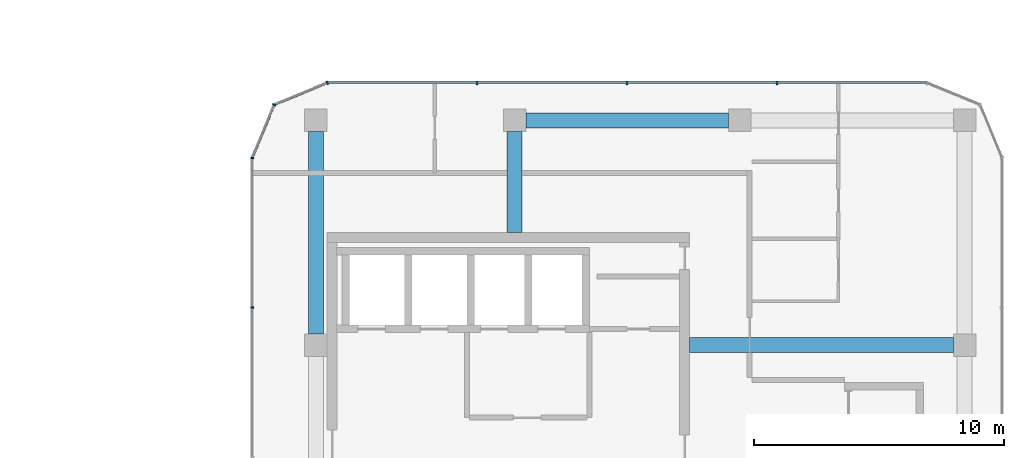
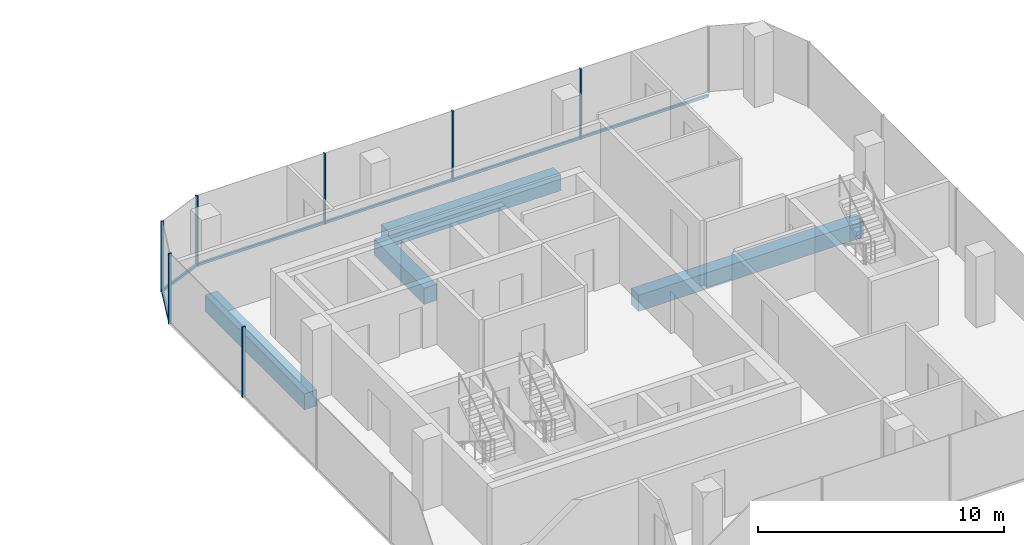
# One storey, part 9 of 23: 10 members, 4 beams, 4 elements without a shape of their own.
"""IFC4 building model written with IfcOpenShell, lengths in metres."""

from ifc_helpers import new_model, si_unit, direction, frame, origin, origin_2d, place, context, subcontext, project, spatial, rectangle, extrude, material, layer, layer_set, material_profile, profile_set, type_object, element, aggregate, save


model = new_model("IFC4")

# Units and contexts
model_context = context("Model", 3, precision=1e-05, world=origin(), true_north=direction((0.0, 1.0)))
body_context = subcontext(model_context, "Body", "Model", "MODEL_VIEW")
ifc_project = project(units=[si_unit("LENGTHUNIT", "METRE"), si_unit("AREAUNIT", "SQUARE_METRE"), si_unit("VOLUMEUNIT", "CUBIC_METRE"), si_unit("PLANEANGLEUNIT", "RADIAN"), si_unit("MASSUNIT", "GRAM", prefix="KILO")], contexts=[model_context])

# Site, building, storey
site_placement = place(None, origin())
site = spatial("IfcSite", under=ifc_project, at=site_placement, CompositionType="ELEMENT")
building_placement = place(site_placement, origin())
building = spatial("IfcBuilding", under=site, at=building_placement, Name="Plateau Cross Towers", CompositionType="ELEMENT")
storey_placement = place(building_placement, frame((0.0, 0.0, 92.300048828125)))
storey = spatial("IfcBuildingStorey", under=building, at=storey_placement, Name="L23", CompositionType="ELEMENT", Elevation=92.300048828125)

# Beams
ifc_material_1 = material(Name="Concrete C60/75", Category="concrete")
ifc_material_profile_1 = material_profile(ifc_material_1, rectangle(XDim=0.60009765625, YDim=0.800048828125, at=origin_2d()), Name="RC 600x800")
ifc_profile_set_1 = profile_set([ifc_material_profile_1], Name="Concrete C60/75")
beam_type_1 = type_object("IfcBeamType", Name="Core beam RC 600x800", PredefinedType="BEAM", material=ifc_profile_set_1)
beam_1_placement = place(storey_placement, frame((89.5, 13.5, -0.650146484375), z_axis=(1.0, 0.0, 0.0), x_axis=(0.0, 1.0, 0.0)))
element("IfcBeam", 1, at=beam_1_placement, inside=storey, type_object=beam_type_1, Name="B-CB03@L23", PredefinedType="BEAM", context=body_context, shape_type="SweptSolid", body=[
    extrude(rectangle(XDim=0.60009765625, YDim=0.800048828125, at=origin_2d()), origin(), (0.0, 0.0, 1.0), 10.550048828125),
])
beam_2_placement = place(storey_placement, frame((82.5, 18.0, -0.650146484375), z_axis=(0.0, 1.0, 0.0), x_axis=(-1.0, 0.0, 0.0)))
element("IfcBeam", 2, at=beam_2_placement, inside=storey, type_object=beam_type_1, Name="B-CB04@L23", PredefinedType="BEAM", context=body_context, shape_type="SweptSolid", body=[
    extrude(rectangle(XDim=0.60009765625, YDim=0.800048828125, at=origin_2d()), origin(), (0.0, 0.0, 1.0), 4.050048828125),
])

# Curtain wall, members
ifc_material_2 = material(Name="Dark low-iron glass", Category="glass")
ifc_layer = layer(ifc_material_2, 0.239990234375)
ifc_layer_set = layer_set([ifc_layer], Name="Dark low-iron glass")
curtain_wall_type = type_object("IfcCurtainWallType", Name="Curtain wall office unitised CW-F", PredefinedType="NOTDEFINED", material=ifc_layer_set)
curtain_wall_1_placement = place(storey_placement, origin())
curtain_wall_1 = element("IfcCurtainWall", 3, at=curtain_wall_1_placement, inside=storey, type_object=curtain_wall_type, Name="ENV/B/L23/B990_240", PredefinedType="NOTDEFINED")
ifc_material_3 = material(Name="Black anodised aluminium", Category="aluminium")
ifc_material_profile_2 = material_profile(ifc_material_3, rectangle(XDim=0.06005859375, YDim=0.139892578125, at=origin_2d()), Name="MULLION 60x140")
ifc_profile_set_2 = profile_set([ifc_material_profile_2], Name="Black anodised aluminium")
member_type_1 = type_object("IfcMemberType", Name="Mullion 60x140 office unitised", PredefinedType="MULLION", material=ifc_profile_set_2)
member_1_placement = place(storey_placement, frame((93.0, 24.0, -0.25), z_axis=(0.0, 0.0, 1.0), x_axis=(-1.0, 0.0, 0.0)))
member_1 = element("IfcMember", 4, at=member_1_placement, type_object=member_type_1, Name="CW-F mullion 2", PredefinedType="MULLION", context=body_context, shape_type="SweptSolid", body=[
    extrude(rectangle(XDim=0.06005859375, YDim=0.139892578125, at=origin_2d()), origin(), (0.0, 0.0, 1.0), 3.5),
])
member_2_placement = place(storey_placement, frame((87.0, 24.0, -0.25), z_axis=(0.0, 0.0, 1.0), x_axis=(-1.0, 0.0, 0.0)))
member_2 = element("IfcMember", 5, at=member_2_placement, type_object=member_type_1, Name="CW-F mullion 3", PredefinedType="MULLION", context=body_context, shape_type="SweptSolid", body=[
    extrude(rectangle(XDim=0.06005859375, YDim=0.139892578125, at=origin_2d()), origin(), (0.0, 0.0, 1.0), 3.5),
])
member_3_placement = place(storey_placement, frame((81.0, 24.0, -0.25), z_axis=(0.0, 0.0, 1.0), x_axis=(-1.0, 0.0, 0.0)))
member_3 = element("IfcMember", 6, at=member_3_placement, type_object=member_type_1, Name="CW-F mullion 4", PredefinedType="MULLION", context=body_context, shape_type="SweptSolid", body=[
    extrude(rectangle(XDim=0.06005859375, YDim=0.139892578125, at=origin_2d()), origin(), (0.0, 0.0, 1.0), 3.5),
])

# Curtain wall, member
curtain_wall_2_placement = place(storey_placement, origin())
curtain_wall_2 = element("IfcCurtainWall", 7, at=curtain_wall_2_placement, inside=storey, type_object=curtain_wall_type, Name="ENV/B/L23/B750_240", PredefinedType="NOTDEFINED")
member_4_placement = place(storey_placement, frame((75.0, 24.0, -0.25), z_axis=(0.0, 0.0, 1.0), x_axis=(-0.923879457699, -0.382683612978, 0.0)))
member_4 = element("IfcMember", 8, at=member_4_placement, type_object=member_type_1, Name="CW-F mullion 1", PredefinedType="MULLION", context=body_context, shape_type="SweptSolid", body=[
    extrude(rectangle(XDim=0.06005859375, YDim=0.139892578125, at=origin_2d()), origin(), (0.0, 0.0, 1.0), 3.5),
])

curtain_wall_3_placement = place(storey_placement, origin())
curtain_wall_3 = element("IfcCurtainWall", 9, at=curtain_wall_3_placement, inside=storey, type_object=curtain_wall_type, Name="ENV/B/L23/B729_231", PredefinedType="NOTDEFINED")
member_5_placement = place(storey_placement, frame((72.878662109375, 23.121337890625, -0.25), z_axis=(0.0, 0.0, 1.0), x_axis=(-0.382683612978, -0.923879457699, 0.0)))
member_5 = element("IfcMember", 10, at=member_5_placement, type_object=member_type_1, Name="CW-F mullion 1", PredefinedType="MULLION", context=body_context, shape_type="SweptSolid", body=[
    extrude(rectangle(XDim=0.06005859375, YDim=0.139892578125, at=origin_2d()), origin(), (0.0, 0.0, 1.0), 3.5),
])

# Curtain wall, members
curtain_wall_4_placement = place(storey_placement, origin())
curtain_wall_4 = element("IfcCurtainWall", 11, at=curtain_wall_4_placement, inside=storey, type_object=curtain_wall_type, Name="ENV/B/L23/B720_210", PredefinedType="NOTDEFINED")
member_6_placement = place(storey_placement, frame((72.0, 21.0, -0.25), z_axis=(0.0, 0.0, 1.0), x_axis=(0.0, -1.0, 0.0)))
member_6 = element("IfcMember", 12, at=member_6_placement, type_object=member_type_1, Name="CW-F mullion 1", PredefinedType="MULLION", context=body_context, shape_type="SweptSolid", body=[
    extrude(rectangle(XDim=0.06005859375, YDim=0.139892578125, at=origin_2d()), origin(), (0.0, 0.0, 1.0), 3.5),
])
member_7_placement = place(storey_placement, frame((72.0, 15.0, -0.25), z_axis=(0.0, 0.0, 1.0), x_axis=(0.0, -1.0, 0.0)))
member_7 = element("IfcMember", 13, at=member_7_placement, type_object=member_type_1, Name="CW-F mullion 2", PredefinedType="MULLION", context=body_context, shape_type="SweptSolid", body=[
    extrude(rectangle(XDim=0.06005859375, YDim=0.139892578125, at=origin_2d()), origin(), (0.0, 0.0, 1.0), 3.5),
])
aggregate(curtain_wall_4, [member_6, member_7])

# Beams
ifc_material_profile_3 = material_profile(ifc_material_1, rectangle(XDim=0.60009765625, YDim=0.800048828125, at=origin_2d()), Name="RC 600x800")
ifc_profile_set_3 = profile_set([ifc_material_profile_3], Name="Concrete C60/75")
beam_type_2 = type_object("IfcBeamType", Name="Ring beam RC 600x800", PredefinedType="BEAM", material=ifc_profile_set_3)
for number, where, z_axis, x_axis, name in (
    (14, (91.050048828125, 22.5, -0.650146484375), (-1.0, 0.0, 0.0), (0.0, -1.0, 0.0), "B-RB07@L23"),
    (15, (74.550048828125, 22.050048828125, -0.650146484375), (0.0, -1.0, 0.0), (1.0, 0.0, 0.0), "B-RB08@L23"),
):
    element("IfcBeam", number, at=place(storey_placement, frame(where, z_axis=z_axis, x_axis=x_axis)), inside=storey, type_object=beam_type_2, Name=name, PredefinedType="BEAM", context=body_context, shape_type="SweptSolid", body=[
        extrude(rectangle(XDim=0.60009765625, YDim=0.800048828125, at=origin_2d()), origin(), (0.0, 0.0, 1.0), 8.10009765625),
    ])

# Member
ifc_material_profile_4 = material_profile(ifc_material_3, rectangle(XDim=0.10009765625, YDim=0.1201171875, at=origin_2d()), Name="TRANSOM 100x120")
ifc_profile_set_4 = profile_set([ifc_material_profile_4], Name="Black anodised aluminium")
member_type_2 = type_object("IfcMemberType", Name="Transom 100x120 office unitised", PredefinedType="USERDEFINED", material=ifc_profile_set_4)
member_8_placement = place(storey_placement, frame((99.0, 24.0, -0.18994140625), z_axis=(-1.0, 0.0, 0.0), x_axis=(0.0, -1.0, 0.0)))
member_8 = element("IfcMember", 16, at=member_8_placement, type_object=member_type_2, Name="CW-F transom", ObjectType="TRANSOM", PredefinedType="USERDEFINED", context=body_context, shape_type="SweptSolid", body=[
    extrude(rectangle(XDim=0.10009765625, YDim=0.1201171875, at=origin_2d()), origin(), (0.0, 0.0, 1.0), 24.0),
])

aggregate(curtain_wall_1, [member_1, member_2, member_3, member_8])

member_9_placement = place(storey_placement, frame((75.0, 24.0, -0.18994140625), z_axis=(-0.923883353507, -0.382674207535, 0.0), x_axis=(0.382674207535, -0.923883353507, 0.0)))
member_9 = element("IfcMember", 17, at=member_9_placement, type_object=member_type_2, Name="CW-F transom", ObjectType="TRANSOM", PredefinedType="USERDEFINED", context=body_context, shape_type="SweptSolid", body=[
    extrude(rectangle(XDim=0.10009765625, YDim=0.1201171875, at=origin_2d()), origin(), (0.0, 0.0, 1.0), 2.296142578125),
])

aggregate(curtain_wall_2, [member_4, member_9])

member_10_placement = place(storey_placement, frame((72.878662109375, 23.121337890625, -0.18994140625), z_axis=(-0.382674207535, -0.923883353507, 0.0), x_axis=(0.923883353507, -0.382674207535, 0.0)))
member_10 = element("IfcMember", 18, at=member_10_placement, type_object=member_type_2, Name="CW-F transom", ObjectType="TRANSOM", PredefinedType="USERDEFINED", context=body_context, shape_type="SweptSolid", body=[
    extrude(rectangle(XDim=0.10009765625, YDim=0.1201171875, at=origin_2d()), origin(), (0.0, 0.0, 1.0), 2.296142578125),
])

aggregate(curtain_wall_3, [member_5, member_10])

save(model, "model.ifc")
